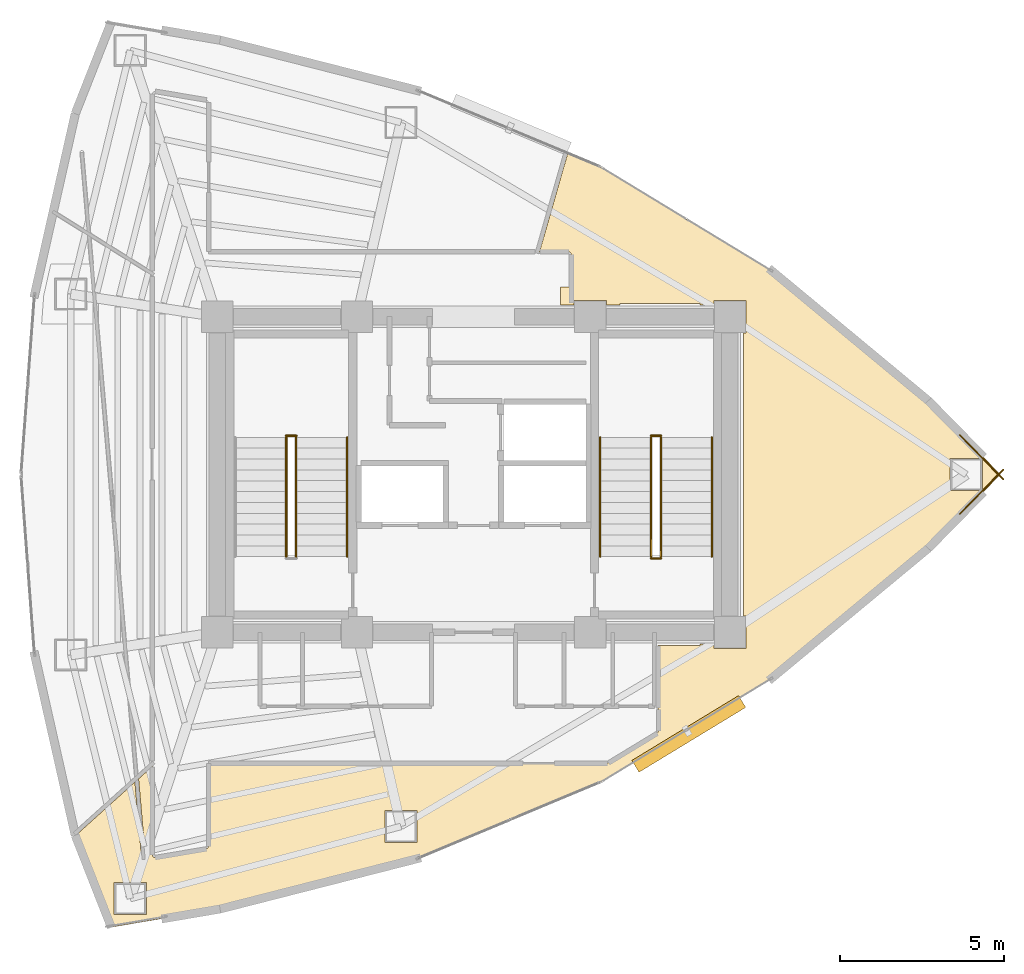
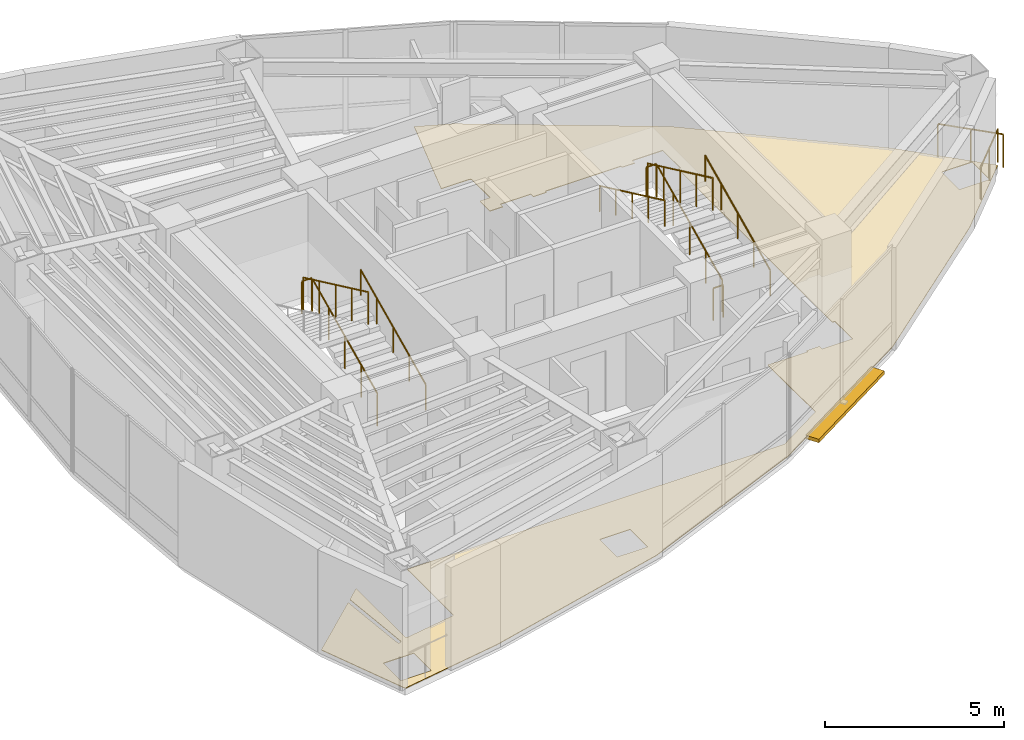
# One storey, part 15 of 16: 12 railings, 1 covering, 1 shading device.
"""IFC4 building model written with IfcOpenShell, lengths in metres."""

from ifc_helpers import new_model, si_unit, direction, frame, origin, origin_2d, place, context, subcontext, project, spatial, polyline, rectangle, circle, outline, extrude, material, layer, layer_set, type_object, element, save


model = new_model("IFC4")

# Units and contexts
model_context = context("Model", 3, precision=1e-05, world=origin(), true_north=direction((0.0, 1.0)))
body_context = subcontext(model_context, "Body", "Model", "MODEL_VIEW")
ifc_project = project(units=[si_unit("LENGTHUNIT", "METRE"), si_unit("AREAUNIT", "SQUARE_METRE"), si_unit("VOLUMEUNIT", "CUBIC_METRE"), si_unit("PLANEANGLEUNIT", "RADIAN"), si_unit("MASSUNIT", "GRAM", prefix="KILO")], contexts=[model_context])

# Site, building, storey
site_placement = place(None, origin())
site = spatial("IfcSite", under=ifc_project, at=site_placement, CompositionType="ELEMENT")
building_placement = place(site_placement, origin())
building = spatial("IfcBuilding", under=site, at=building_placement, Name="Menara Vayukalpa", CompositionType="ELEMENT")
storey_placement = place(building_placement, frame((0.0, 0.0, 219.5400390625)))
storey = spatial("IfcBuildingStorey", under=building, at=storey_placement, Name="L55", CompositionType="ELEMENT", Elevation=219.5400390625)

# Covering
ifc_material_1 = material(Name="Porcelain Stoneware Floor Tile", Category="masonry")
ifc_layer_1 = layer(ifc_material_1, 0.02001953125)
ifc_layer_set_1 = layer_set([ifc_layer_1], Name="Porcelain Stoneware Floor Tile")
covering_type = type_object("IfcCoveringType", Name="COV-FLR1", PredefinedType="FLOORING", material=ifc_layer_set_1)
covering_placement = place(storey_placement, origin())
element("IfcCovering", 1, at=covering_placement, inside=storey, type_object=covering_type, Name="L55 Open Plan Office Workplace Porcelain Flooring", PredefinedType="FLOORING", context=body_context, shape_type="SweptSolid", body=[
    extrude(outline(polyline([(32.909912109375, 16.85009765625), (32.909912109375, 16.7099609375), (33.889892578125, 16.7099609375), (33.889892578125, 17.68994140625), (33.81005859375, 17.68994140625), (33.81005859375, 26.31005859375), (33.889892578125, 26.31005859375), (33.889892578125, 27.2900390625), (32.909912109375, 27.2900390625), (32.909912109375, 27.14990234375), (32.489990234375, 27.14990234375), (32.489990234375, 27.2099609375), (30.06005859375, 27.2099609375), (30.06005859375, 27.14990234375), (29.639892578125, 27.14990234375), (29.639892578125, 27.2900390625), (28.659912109375, 27.2900390625), (28.659912109375, 27.14990234375), (28.239990234375, 27.14990234375), (28.239990234375, 27.7099609375), (28.570068359375, 27.7099609375), (28.570068359375, 28.69970703125), (28.569580078125, 28.706787109375), (28.568603515625, 28.713623046875), (28.56689453125, 28.72021484375), (28.564697265625, 28.726806640625), (28.561767578125, 28.73291015625), (28.55810546875, 28.73876953125), (28.553955078125, 28.744384765625), (28.549560546875, 28.74951171875), (28.54443359375, 28.75390625), (28.538818359375, 28.75830078125), (28.532958984375, 28.76171875), (28.52685546875, 28.7646484375), (28.520263671875, 28.76708984375), (28.513671875, 28.768798828125), (28.5068359375, 28.76953125), (28.499755859375, 28.77001953125), (27.616943359375, 28.77001953125), (27.615966796875, 28.77001953125), (27.614990234375, 28.770263671875), (27.614013671875, 28.7705078125), (27.61328125, 28.770751953125), (27.6123046875, 28.771240234375), (27.611572265625, 28.771728515625), (27.610595703125, 28.772216796875), (27.610107421875, 28.77294921875), (27.609375, 28.773681640625), (27.608642578125, 28.7744140625), (27.608154296875, 28.775146484375), (27.60791015625, 28.776123046875), (27.607421875, 28.777099609375), (27.607177734375, 28.77783203125), (27.607177734375, 28.77880859375), (27.60693359375, 28.77978515625), (27.60693359375, 28.78076171875), (27.607177734375, 28.78173828125), (27.607421875, 28.78271484375), (28.459228515625, 31.75390625), (28.459716796875, 31.754638671875), (28.4599609375, 31.755615234375), (28.46044921875, 31.756591796875), (28.461181640625, 31.75732421875), (28.4619140625, 31.758056640625), (28.46240234375, 31.7587890625), (28.46337890625, 31.75927734375), (28.464111328125, 31.759765625), (28.465087890625, 31.76025390625), (28.466064453125, 31.760498046875), (28.466796875, 31.7607421875), (28.468017578125, 31.760986328125), (28.468994140625, 31.760986328125), (28.469970703125, 31.760986328125), (28.470947265625, 31.7607421875), (28.4716796875, 31.760498046875), (28.472900390625, 31.76025390625), (29.478515625, 31.33935546875), (29.479248046875, 31.339111328125), (29.47998046875, 31.338623046875), (34.660888671875, 28.19140625), (34.662109375, 28.190673828125), (39.431884765625, 24.235107421875), (39.4326171875, 24.234375), (41.61962890625, 22.007080078125), (41.620361328125, 22.00634765625), (41.620849609375, 22.005615234375), (41.621337890625, 22.004638671875), (41.621826171875, 22.00390625), (41.6220703125, 22.0029296875), (41.622314453125, 22.001953125), (41.62255859375, 22.0009765625), (41.62255859375, 22.0), (41.62255859375, 21.9990234375), (41.622314453125, 21.998046875), (41.6220703125, 21.9970703125), (41.621826171875, 21.99609375), (41.621337890625, 21.995361328125), (41.620849609375, 21.994384765625), (41.620361328125, 21.99365234375), (41.61962890625, 21.992919921875), (39.4326171875, 19.765625), (39.431884765625, 19.764892578125), (34.662109375, 15.809326171875), (34.660888671875, 15.80859375), (29.47998046875, 12.661376953125), (29.479248046875, 12.660888671875), (29.478515625, 12.66064453125), (23.885986328125, 10.3212890625), (23.884765625, 10.32080078125), (17.8798828125, 8.789306640625), (17.879150390625, 8.7890625), (14.59423828125, 8.2314453125), (14.59326171875, 8.231201171875), (14.59228515625, 8.231201171875), (14.59130859375, 8.2314453125), (14.59033203125, 8.2314453125), (14.58935546875, 8.231689453125), (14.58837890625, 8.232177734375), (14.587646484375, 8.232666015625), (14.5869140625, 8.233154296875), (14.5859375, 8.233642578125), (14.585205078125, 8.234375), (14.584716796875, 8.235107421875), (14.583984375, 8.23583984375), (14.58349609375, 8.23681640625), (14.583251953125, 8.237548828125), (13.494140625, 11.010498046875), (13.493896484375, 11.011474609375), (13.49365234375, 11.012451171875), (13.493408203125, 11.01318359375), (13.493408203125, 11.014404296875), (13.49365234375, 11.015380859375), (13.49365234375, 11.01611328125), (13.493896484375, 11.01708984375), (13.494384765625, 11.01806640625), (13.49462890625, 11.018798828125), (13.4951171875, 11.019775390625), (13.49560546875, 11.0205078125), (13.496337890625, 11.021240234375), (13.4970703125, 11.02197265625), (13.498779296875, 11.023193359375), (15.280517578125, 12.62744140625), (15.28125, 12.6279296875), (15.281982421875, 12.628662109375), (15.28271484375, 12.62890625), (15.28369140625, 12.62939453125), (15.28466796875, 12.629638671875), (15.28564453125, 12.6298828125), (15.28662109375, 12.6298828125), (15.28759765625, 12.6298828125), (15.288330078125, 12.6298828125), (15.289306640625, 12.629638671875), (15.290283203125, 12.62939453125), (15.291259765625, 12.629150390625), (15.2919921875, 12.628662109375), (15.29296875, 12.628173828125), (15.293701171875, 12.627685546875), (15.294189453125, 12.626953125), (15.294921875, 12.626220703125), (15.29541015625, 12.62548828125), (15.2958984375, 12.62451171875), (15.29638671875, 12.623779296875), (15.296630859375, 12.622802734375), (15.296875, 12.621826171875), (15.297119140625, 12.620849609375), (15.501953125, 10.279052734375), (15.502685546875, 10.27294921875), (15.504150390625, 10.26708984375), (15.506103515625, 10.26171875), (15.508544921875, 10.256103515625), (15.511474609375, 10.251220703125), (15.514892578125, 10.246337890625), (15.518798828125, 10.241943359375), (15.523193359375, 10.238037109375), (15.52783203125, 10.234619140625), (15.532958984375, 10.2314453125), (15.5380859375, 10.228759765625), (15.543701171875, 10.226806640625), (15.54931640625, 10.225341796875), (15.55517578125, 10.224365234375), (15.56103515625, 10.22412109375), (15.56689453125, 10.22412109375), (15.57275390625, 10.22509765625), (15.57861328125, 10.226318359375), (15.583984375, 10.228271484375), (15.589599609375, 10.230712890625), (15.594482421875, 10.233642578125), (15.599365234375, 10.2373046875), (15.603759765625, 10.2412109375), (15.607666015625, 10.245361328125), (15.611083984375, 10.25), (15.6142578125, 10.255126953125), (15.616943359375, 10.260498046875), (15.618896484375, 10.26611328125), (15.62060546875, 10.271484375), (15.621337890625, 10.27734375), (15.62158203125, 10.283203125), (15.62158203125, 10.28955078125), (15.407470703125, 12.736328125), (15.407470703125, 12.737548828125), (15.407470703125, 12.738525390625), (15.40771484375, 12.739501953125), (15.407958984375, 12.740478515625), (15.408203125, 12.741455078125), (15.40869140625, 12.7421875), (15.4091796875, 12.7431640625), (15.409912109375, 12.743896484375), (15.41064453125, 12.74462890625), (15.813232421875, 13.107421875), (15.814208984375, 13.10791015625), (15.81494140625, 13.1083984375), (15.81591796875, 13.10888671875), (15.816650390625, 13.109375), (15.817626953125, 13.109619140625), (15.818603515625, 13.10986328125), (15.819580078125, 13.10986328125), (15.82080078125, 13.10986328125), (15.82177734375, 13.10986328125), (15.82275390625, 13.109619140625), (15.823486328125, 13.109130859375), (15.824462890625, 13.10888671875), (15.825439453125, 13.1083984375), (15.826171875, 13.107666015625), (15.826904296875, 13.107177734375), (15.82763671875, 13.1064453125), (15.828125, 13.105712890625), (15.828857421875, 13.104736328125), (15.8291015625, 13.103759765625), (15.82958984375, 13.102783203125), (15.829833984375, 13.101806640625), (15.829833984375, 13.100830078125), (15.830078125, 13.099853515625), (15.830078125, 10.421142578125), (15.830322265625, 10.414306640625), (15.831298828125, 10.407470703125), (15.8330078125, 10.40087890625), (15.835205078125, 10.39453125), (15.837890625, 10.388427734375), (15.841552734375, 10.382568359375), (15.845458984375, 10.376953125), (15.849853515625, 10.3720703125), (15.854736328125, 10.367431640625), (15.860107421875, 10.36328125), (15.865966796875, 10.35986328125), (15.8720703125, 10.356689453125), (15.87841796875, 10.354248046875), (15.884765625, 10.3525390625), (15.8916015625, 10.351318359375), (15.898193359375, 10.350830078125), (15.905029296875, 10.35107421875), (15.912109375, 10.351806640625), (17.471435546875, 10.61669921875), (17.478515625, 10.6181640625), (17.485107421875, 10.62060546875), (17.49169921875, 10.623291015625), (17.497802734375, 10.626708984375), (17.50341796875, 10.630859375), (17.508544921875, 10.635498046875), (17.513427734375, 10.640625), (17.517822265625, 10.646240234375), (17.521484375, 10.652099609375), (17.5244140625, 10.658447265625), (17.52685546875, 10.664794921875), (17.528564453125, 10.671875), (17.529541015625, 10.6787109375), (17.530029296875, 10.685791015625), (17.530029296875, 13.2099609375), (17.530029296875, 13.2109375), (17.5302734375, 13.2119140625), (17.530517578125, 13.212890625), (17.53076171875, 13.2138671875), (17.53125, 13.214599609375), (17.53173828125, 13.215576171875), (17.5322265625, 13.21630859375), (17.532958984375, 13.217041015625), (17.53369140625, 13.2177734375), (17.534423828125, 13.21826171875), (17.535400390625, 13.21875), (17.5361328125, 13.21923828125), (17.537109375, 13.219482421875), (17.5380859375, 13.2197265625), (17.5390625, 13.219970703125), (17.5400390625, 13.219970703125), (29.667236328125, 13.219970703125), (29.673828125, 13.22021484375), (29.68017578125, 13.22119140625), (29.686279296875, 13.22265625), (29.6923828125, 13.224609375), (29.6982421875, 13.22705078125), (29.7041015625, 13.230224609375), (31.18603515625, 14.130615234375), (31.1923828125, 14.134765625), (31.19775390625, 14.139404296875), (31.20263671875, 14.14453125), (31.20703125, 14.150146484375), (31.2109375, 14.15625), (31.214111328125, 14.16259765625), (31.216552734375, 14.16943359375), (31.218505859375, 14.176513671875), (31.219482421875, 14.183349609375), (31.219970703125, 14.19091796875), (31.219970703125, 14.849609375), (31.219482421875, 14.856689453125), (31.21875, 14.86376953125), (31.217041015625, 14.870361328125), (31.214599609375, 14.876708984375), (31.2119140625, 14.8828125), (31.211669921875, 14.883056640625), (31.211181640625, 14.8837890625), (31.210693359375, 14.884765625), (31.21044921875, 14.8857421875), (31.210205078125, 14.88671875), (31.2099609375, 14.8876953125), (31.2099609375, 14.888671875), (31.2099609375, 16.780029296875), (31.2099609375, 16.781005859375), (31.210205078125, 16.781982421875), (31.21044921875, 16.782958984375), (31.210693359375, 16.78369140625), (31.211181640625, 16.78466796875), (31.211669921875, 16.78564453125), (31.21240234375, 16.786376953125), (31.212890625, 16.787109375), (31.213623046875, 16.78759765625), (31.21435546875, 16.788330078125), (31.21533203125, 16.788818359375), (31.21630859375, 16.789306640625), (31.217041015625, 16.78955078125), (31.218017578125, 16.789794921875), (31.218994140625, 16.7900390625), (31.219970703125, 16.7900390625), (32.489990234375, 16.7900390625), (32.489990234375, 16.85009765625), (32.909912109375, 16.85009765625)]), holes=[polyline([(14.664794921875, 9.58740234375), (14.664794921875, 8.607421875), (15.644775390625, 8.607421875), (15.644775390625, 9.58740234375), (14.664794921875, 9.58740234375)]), polyline([(23.87939453125, 11.781494140625), (22.8994140625, 11.781494140625), (22.8994140625, 10.801513671875), (23.87939453125, 10.801513671875), (23.87939453125, 11.781494140625)]), polyline([(41.08056640625, 22.489990234375), (40.1005859375, 22.489990234375), (40.1005859375, 21.510009765625), (41.08056640625, 21.510009765625), (41.08056640625, 22.489990234375)])]), origin(), (0.0, 0.0, 1.0), 0.02001953125),
])

# Railings
ifc_material_2 = material(Name="Laminated Glass and Stainless Steel 316 Guardrail", Category="steel")
railing_type_1 = type_object("IfcRailingType", Name="RLG-EXT115", PredefinedType="GUARDRAIL", material=ifc_material_2)
railing_1_placement = place(storey_placement, frame((40.392333984375, 20.800048828125, 0.0)))
element("IfcRailing", 2, at=railing_1_placement, inside=storey, type_object=railing_type_1, Name="L55 Column Corner Spandrel Guardrail 01-1", PredefinedType="GUARDRAIL", context=body_context, shape_type="SweptSolid", body=[
    extrude(circle(Radius=0.02392578125, at=origin_2d()), frame((0.0, 0.0, 1.1259765625), z_axis=(0.700555409966, 0.713598008382, 0.0), x_axis=(-0.713598008382, 0.700555409966, 0.0)), (0.0, 0.0, 1.0), 1.890625),
    extrude(circle(Radius=0.02099609375, at=origin_2d()), origin(), (0.0, 0.0, 1.0), 1.101806640625),
    extrude(circle(Radius=0.02099609375, at=origin_2d()), frame((0.662109375, 0.674560546875, 0.0)), (0.0, 0.0, 1.0), 1.101806640625),
    extrude(circle(Radius=0.02099609375, at=origin_2d()), frame((1.324462890625, 1.34912109375, 0.0)), (0.0, 0.0, 1.0), 1.101806640625),
])
railing_2_placement = place(storey_placement, frame((41.716796875, 21.850830078125, 0.0)))
element("IfcRailing", 3, at=railing_2_placement, inside=storey, type_object=railing_type_1, Name="L55 Column Corner Spandrel Guardrail 02-1", PredefinedType="GUARDRAIL", context=body_context, shape_type="SweptSolid", body=[
    extrude(circle(Radius=0.02392578125, at=origin_2d()), frame((0.0, 0.0, 1.1259765625), z_axis=(-0.700555409966, 0.713598008382, 0.0), x_axis=(-0.713598008382, -0.700555409966, 0.0)), (0.0, 0.0, 1.0), 1.890625),
    extrude(circle(Radius=0.02099609375, at=origin_2d()), origin(), (0.0, 0.0, 1.0), 1.101806640625),
    extrude(circle(Radius=0.02099609375, at=origin_2d()), frame((-0.662109375, 0.674560546875, 0.0)), (0.0, 0.0, 1.0), 1.101806640625),
    extrude(circle(Radius=0.02099609375, at=origin_2d()), frame((-1.324462890625, 1.34912109375, 0.0)), (0.0, 0.0, 1.0), 1.101806640625),
])
ifc_material_3 = material(Name="Powder-Coated Galvanised Steel Guardrail", Category="steel")
railing_type_2 = type_object("IfcRailingType", Name="RLG-STG110", PredefinedType="GUARDRAIL", material=ifc_material_3)
railing_3_placement = place(storey_placement, frame((20.199951171875, 19.5, 0.155029296875)))
element("IfcRailing", 4, at=railing_3_placement, inside=storey, type_object=railing_type_2, Name="L55 ST-1 stair guard 1", PredefinedType="GUARDRAIL", context=body_context, shape_type="SweptSolid", body=[
    extrude(circle(Radius=0.02392578125, at=origin_2d()), frame((0.0, 0.0, 1.09619140625), z_axis=(0.0, 0.90513990983, 0.425113800803), x_axis=(-1.0, 0.0, 0.0)), (0.0, 0.0, 1.0), 4.01025390625),
    extrude(circle(Radius=0.02099609375, at=origin_2d()), origin(), (0.0, 0.0, 1.0), 1.072021484375),
    extrude(circle(Radius=0.02099609375, at=origin_2d()), frame((0.0, 0.907470703125, 0.42626953125)), (0.0, 0.0, 1.0), 1.072021484375),
    extrude(circle(Radius=0.02099609375, at=origin_2d()), frame((0.0, 1.81494140625, 0.8525390625)), (0.0, 0.0, 1.0), 1.072021484375),
    extrude(circle(Radius=0.02099609375, at=origin_2d()), frame((0.0, 2.722412109375, 1.278564453125)), (0.0, 0.0, 1.0), 1.072021484375),
    extrude(circle(Radius=0.02099609375, at=origin_2d()), frame((0.0, 3.6298828125, 1.704833984375)), (0.0, 0.0, 1.0), 1.072021484375),
])
railing_4_placement = place(storey_placement, frame((20.2099609375, 23.179931640625, 1.85986328125)))
element("IfcRailing", 5, at=railing_4_placement, inside=storey, type_object=railing_type_2, Name="L55 ST-1 stair guard 2", PredefinedType="GUARDRAIL", context=body_context, shape_type="SweptSolid", body=[
    extrude(circle(Radius=0.02392578125, at=origin_2d()), frame((0.0, 0.0, 1.09619140625), z_axis=(-1.0, 0.0, 0.0), x_axis=(0.0, -1.0, 0.0)), (0.0, 0.0, 1.0), 0.320068359375),
    extrude(circle(Radius=0.02099609375, at=origin_2d()), origin(), (0.0, 0.0, 1.0), 1.072021484375),
    extrude(circle(Radius=0.02099609375, at=origin_2d()), frame((-0.320068359375, 0.0, 0.0)), (0.0, 0.0, 1.0), 1.072021484375),
])
railing_5_placement = place(storey_placement, frame((19.89990234375, 23.1298828125, 2.014892578125)))
element("IfcRailing", 6, at=railing_5_placement, inside=storey, type_object=railing_type_2, Name="L55 ST-1 stair guard 3", PredefinedType="GUARDRAIL", context=body_context, shape_type="SweptSolid", body=[
    extrude(circle(Radius=0.02392578125, at=origin_2d()), frame((0.0, 0.0, 1.09619140625), z_axis=(0.0, -0.90511648382, 0.425163675209), x_axis=(1.0, 0.0, 0.0)), (0.0, 0.0, 1.0), 4.010498046875),
    extrude(circle(Radius=0.02099609375, at=origin_2d()), origin(), (0.0, 0.0, 1.0), 1.072021484375),
    extrude(circle(Radius=0.02099609375, at=origin_2d()), frame((0.0, -0.907470703125, 0.42626953125)), (0.0, 0.0, 1.0), 1.072021484375),
    extrude(circle(Radius=0.02099609375, at=origin_2d()), frame((0.0, -1.81494140625, 0.8525390625)), (0.0, 0.0, 1.0), 1.072021484375),
    extrude(circle(Radius=0.02099609375, at=origin_2d()), frame((0.0, -2.722412109375, 1.27880859375)), (0.0, 0.0, 1.0), 1.072021484375),
    extrude(circle(Radius=0.02099609375, at=origin_2d()), frame((0.0, -3.6298828125, 1.705078125)), (0.0, 0.0, 1.0), 1.072021484375),
])
railing_6_placement = place(storey_placement, frame((31.300048828125, 19.5, 0.155029296875)))
element("IfcRailing", 7, at=railing_6_placement, inside=storey, type_object=railing_type_2, Name="L55 ST-2 stair guard 1", PredefinedType="GUARDRAIL", context=body_context, shape_type="SweptSolid", body=[
    extrude(circle(Radius=0.02392578125, at=origin_2d()), frame((0.0, 0.0, 1.09619140625), z_axis=(0.0, 0.90513990983, 0.425113800803), x_axis=(-1.0, 0.0, 0.0)), (0.0, 0.0, 1.0), 4.01025390625),
    extrude(circle(Radius=0.02099609375, at=origin_2d()), origin(), (0.0, 0.0, 1.0), 1.072021484375),
    extrude(circle(Radius=0.02099609375, at=origin_2d()), frame((0.0, 0.907470703125, 0.42626953125)), (0.0, 0.0, 1.0), 1.072021484375),
    extrude(circle(Radius=0.02099609375, at=origin_2d()), frame((0.0, 1.81494140625, 0.8525390625)), (0.0, 0.0, 1.0), 1.072021484375),
    extrude(circle(Radius=0.02099609375, at=origin_2d()), frame((0.0, 2.722412109375, 1.278564453125)), (0.0, 0.0, 1.0), 1.072021484375),
    extrude(circle(Radius=0.02099609375, at=origin_2d()), frame((0.0, 3.6298828125, 1.704833984375)), (0.0, 0.0, 1.0), 1.072021484375),
])
railing_7_placement = place(storey_placement, frame((31.31005859375, 23.179931640625, 1.85986328125)))
element("IfcRailing", 8, at=railing_7_placement, inside=storey, type_object=railing_type_2, Name="L55 ST-2 stair guard 2", PredefinedType="GUARDRAIL", context=body_context, shape_type="SweptSolid", body=[
    extrude(circle(Radius=0.02392578125, at=origin_2d()), frame((0.0, 0.0, 1.09619140625), z_axis=(-1.0, 0.0, 0.0), x_axis=(0.0, -1.0, 0.0)), (0.0, 0.0, 1.0), 0.320068359375),
    extrude(circle(Radius=0.02099609375, at=origin_2d()), origin(), (0.0, 0.0, 1.0), 1.072021484375),
    extrude(circle(Radius=0.02099609375, at=origin_2d()), frame((-0.320068359375, 0.0, 0.0)), (0.0, 0.0, 1.0), 1.072021484375),
])
railing_8_placement = place(storey_placement, frame((31.0, 23.1298828125, 2.014892578125)))
element("IfcRailing", 9, at=railing_8_placement, inside=storey, type_object=railing_type_2, Name="L55 ST-2 stair guard 3", PredefinedType="GUARDRAIL", context=body_context, shape_type="SweptSolid", body=[
    extrude(circle(Radius=0.02392578125, at=origin_2d()), frame((0.0, 0.0, 1.09619140625), z_axis=(0.0, -0.90511648382, 0.425163675209), x_axis=(1.0, 0.0, 0.0)), (0.0, 0.0, 1.0), 4.010498046875),
    extrude(circle(Radius=0.02099609375, at=origin_2d()), origin(), (0.0, 0.0, 1.0), 1.072021484375),
    extrude(circle(Radius=0.02099609375, at=origin_2d()), frame((0.0, -0.907470703125, 0.42626953125)), (0.0, 0.0, 1.0), 1.072021484375),
    extrude(circle(Radius=0.02099609375, at=origin_2d()), frame((0.0, -1.81494140625, 0.8525390625)), (0.0, 0.0, 1.0), 1.072021484375),
    extrude(circle(Radius=0.02099609375, at=origin_2d()), frame((0.0, -2.722412109375, 1.27880859375)), (0.0, 0.0, 1.0), 1.072021484375),
    extrude(circle(Radius=0.02099609375, at=origin_2d()), frame((0.0, -3.6298828125, 1.705078125)), (0.0, 0.0, 1.0), 1.072021484375),
])
railing_9_placement = place(storey_placement, frame((31.31005859375, 19.449951171875, 0.0)))
element("IfcRailing", 10, at=railing_9_placement, inside=storey, type_object=railing_type_2, Name="L55 ST-2 stair guard 4", PredefinedType="GUARDRAIL", context=body_context, shape_type="SweptSolid", body=[
    extrude(circle(Radius=0.02392578125, at=origin_2d()), frame((0.0, 0.0, 1.09619140625), z_axis=(-1.0, 0.0, 0.0), x_axis=(0.0, -1.0, 0.0)), (0.0, 0.0, 1.0), 0.320068359375),
    extrude(circle(Radius=0.02099609375, at=origin_2d()), origin(), (0.0, 0.0, 1.0), 1.072021484375),
    extrude(circle(Radius=0.02099609375, at=origin_2d()), frame((-0.320068359375, 0.0, 0.0)), (0.0, 0.0, 1.0), 1.072021484375),
])
ifc_material_4 = material(Name="Stainless Steel 316 Tubular Handrail", Category="steel")
railing_type_3 = type_object("IfcRailingType", Name="RLG-STH090", PredefinedType="HANDRAIL", material=ifc_material_4)
for number, where, name in (
    (11, (21.75, 19.5, 0.155029296875), "L55 ST-1 stair handrail 1"),
    (12, (32.85009765625, 19.5, 0.155029296875), "L55 ST-2 stair handrail 1"),
):
    element("IfcRailing", number, at=place(storey_placement, frame(where)), inside=storey, type_object=railing_type_3, Name=name, PredefinedType="HANDRAIL", context=body_context, shape_type="SweptSolid", body=[
        extrude(circle(Radius=0.02392578125, at=origin_2d()), frame((0.0, 0.0, 0.8759765625), z_axis=(0.0, 0.90513990983, 0.425113800803), x_axis=(-1.0, 0.0, 0.0)), (0.0, 0.0, 1.0), 4.01025390625),
        extrude(circle(Radius=0.02099609375, at=origin_2d()), origin(), (0.0, 0.0, 1.0), 0.851806640625),
        extrude(circle(Radius=0.02099609375, at=origin_2d()), frame((0.0, 0.907470703125, 0.42626953125)), (0.0, 0.0, 1.0), 0.851806640625),
        extrude(circle(Radius=0.02099609375, at=origin_2d()), frame((0.0, 1.81494140625, 0.8525390625)), (0.0, 0.0, 1.0), 0.851806640625),
        extrude(circle(Radius=0.02099609375, at=origin_2d()), frame((0.0, 2.722412109375, 1.278564453125)), (0.0, 0.0, 1.0), 0.851806640625),
        extrude(circle(Radius=0.02099609375, at=origin_2d()), frame((0.0, 3.6298828125, 1.704833984375)), (0.0, 0.0, 1.0), 0.851806640625),
    ])
railing_10_placement = place(storey_placement, frame((29.449951171875, 23.1298828125, 2.014892578125)))
element("IfcRailing", 13, at=railing_10_placement, inside=storey, type_object=railing_type_3, Name="L55 ST-2 stair handrail 2", PredefinedType="HANDRAIL", context=body_context, shape_type="SweptSolid", body=[
    extrude(circle(Radius=0.02392578125, at=origin_2d()), frame((0.0, 0.0, 0.8759765625), z_axis=(0.0, -0.90511648382, 0.425163675209), x_axis=(1.0, 0.0, 0.0)), (0.0, 0.0, 1.0), 4.010498046875),
    extrude(circle(Radius=0.02099609375, at=origin_2d()), origin(), (0.0, 0.0, 1.0), 0.851806640625),
    extrude(circle(Radius=0.02099609375, at=origin_2d()), frame((0.0, -0.907470703125, 0.42626953125)), (0.0, 0.0, 1.0), 0.851806640625),
    extrude(circle(Radius=0.02099609375, at=origin_2d()), frame((0.0, -1.81494140625, 0.8525390625)), (0.0, 0.0, 1.0), 0.851806640625),
    extrude(circle(Radius=0.02099609375, at=origin_2d()), frame((0.0, -2.722412109375, 1.27880859375)), (0.0, 0.0, 1.0), 0.851806640625),
    extrude(circle(Radius=0.02099609375, at=origin_2d()), frame((0.0, -3.6298828125, 1.705078125)), (0.0, 0.0, 1.0), 0.851806640625),
])

# Shading device
ifc_material_5 = material(Name="Glazed Terracotta Ceramic Baguette Extrusion", Category="masonry")
ifc_layer_2 = layer(ifc_material_5, 0.1201171875)
ifc_layer_set_2 = layer_set([ifc_layer_2], Name="Glazed Terracotta Ceramic Baguette Extrusion")
shading_device_type = type_object("IfcShadingDeviceType", Name="SHD-SS1", PredefinedType="USERDEFINED", material=ifc_layer_set_2)
shading_device_placement = place(storey_placement, frame((32.148193359375, 14.106689453125, -0.10009765625), z_axis=(0.0, 0.0, 1.0), x_axis=(0.85466730962, 0.519176068272, 0.0)))
element("IfcShadingDevice", 14, at=shading_device_placement, inside=storey, type_object=shading_device_type, Name="L55 Horizontal Terracotta Sunshade Band 17", ObjectType="SUNSHADE", PredefinedType="USERDEFINED", context=body_context, shape_type="SweptSolid", body=[
    extrude(rectangle(XDim=3.800048828125, YDim=0.419921875, at=origin_2d()), origin(), (0.0, 0.0, 1.0), 0.1201171875),
])

save(model, "model.ifc")
